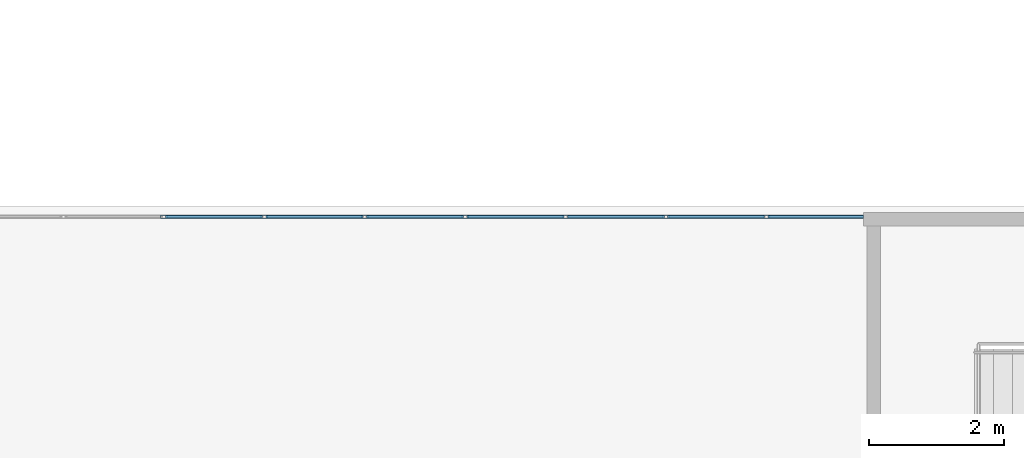
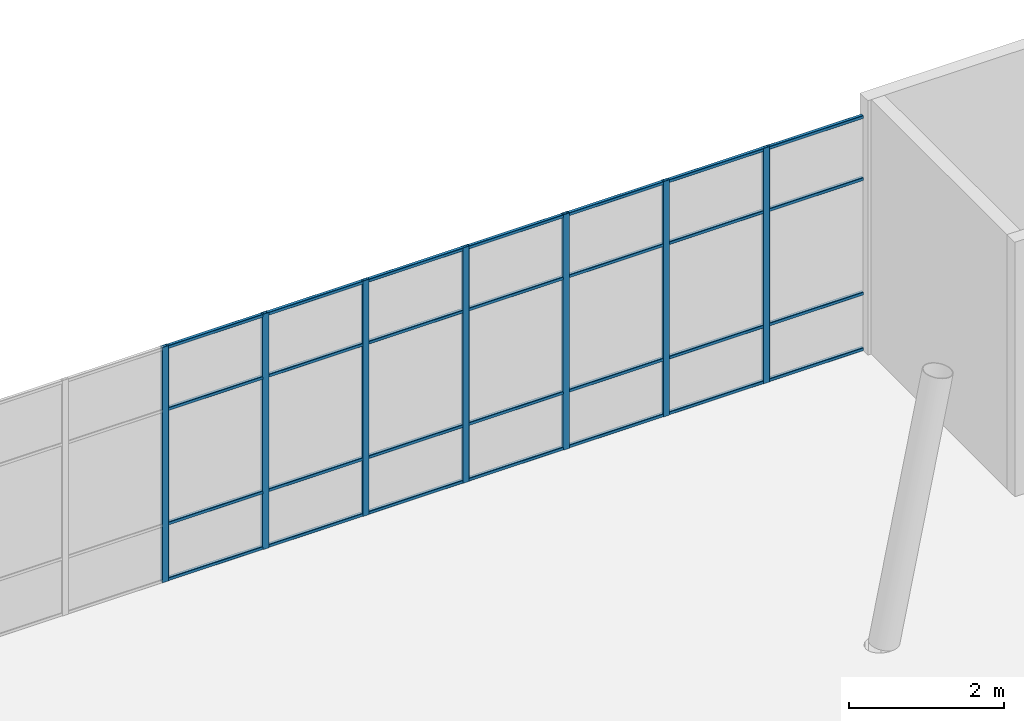
# One storey, part 22 of 65: 35 members, 1 element without a shape of its own.
"""IFC4 building model written with IfcOpenShell, lengths in metres."""

from ifc_helpers import new_model, si_unit, direction, frame, origin, origin_2d, place, context, subcontext, project, spatial, hollow_rectangle, extrude, material, layer, layer_set, material_profile, profile_set, type_object, element, aggregate, save


model = new_model("IFC4")

# Units and contexts
model_context = context("Model", 3, precision=1e-05, world=origin(), true_north=direction((0.0, 1.0)))
body_context = subcontext(model_context, "Body", "Model", "MODEL_VIEW")
ifc_project = project(units=[si_unit("LENGTHUNIT", "METRE"), si_unit("AREAUNIT", "SQUARE_METRE"), si_unit("VOLUMEUNIT", "CUBIC_METRE"), si_unit("PLANEANGLEUNIT", "RADIAN"), si_unit("MASSUNIT", "GRAM", prefix="KILO")], contexts=[model_context])

# Site, building, storey
site_placement = place(None, origin())
site = spatial("IfcSite", under=ifc_project, at=site_placement, CompositionType="ELEMENT")
building_placement = place(site_placement, origin())
building = spatial("IfcBuilding", under=site, at=building_placement, Name="Tuart Plaza Theatre", CompositionType="ELEMENT")
storey_placement = place(building_placement, frame((0.0, 0.0, 9.5)))
storey = spatial("IfcBuildingStorey", under=building, at=storey_placement, Name="L02", CompositionType="ELEMENT", Elevation=9.5)

# Curtain wall, members
ifc_material_1 = material(Name="Aluminium and glass", Category="aluminium")
ifc_layer = layer(ifc_material_1, 0.10009765625)
ifc_layer_set = layer_set([ifc_layer], Name="CURTAIN WALL 1500 module")
curtain_wall_type = type_object("IfcCurtainWallType", Name="CURTAIN WALL 1500 module", PredefinedType="NOTDEFINED", material=ifc_layer_set)
curtain_wall_placement = place(storey_placement, origin())
curtain_wall = element("IfcCurtainWall", 1, at=curtain_wall_placement, inside=storey, type_object=curtain_wall_type, Name="CW35", PredefinedType="NOTDEFINED")
ifc_material_2 = material(Name="Aluminium 6063-T5", Category="aluminium")
ifc_material_profile_1 = material_profile(ifc_material_2, hollow_rectangle(XDim=0.050048828125, YDim=0.10009765625, WallThickness=0.00390625, InnerFilletRadius=0.00390625, OuterFilletRadius=0.008056640625, at=origin_2d()), Name="RHS 100x50x4")
ifc_profile_set_1 = profile_set([ifc_material_profile_1], Name="Aluminium 6063-T5")
member_type_1 = type_object("IfcMemberType", Name="MULLION RHS 100x50x4", PredefinedType="MULLION", material=ifc_profile_set_1)
member_1_placement = place(storey_placement, frame((81.572998046875, 79.8369140625, 0.0), z_axis=(0.0, 0.0, 1.0), x_axis=(0.0, 1.0, 0.0)))
member_1 = element("IfcMember", 2, at=member_1_placement, type_object=member_type_1, Name="CW35 mullion 3", PredefinedType="MULLION", context=body_context, shape_type="SweptSolid", body=[
    extrude(hollow_rectangle(XDim=0.050048828125, YDim=0.10009765625, WallThickness=0.00390625, InnerFilletRadius=0.00390625, OuterFilletRadius=0.008056640625, at=origin_2d()), origin(), (0.0, 0.0, 1.0), 3.699951171875),
])
member_2_placement = place(storey_placement, frame((83.062744140625, 79.8369140625, 0.0), z_axis=(0.0, 0.0, 1.0), x_axis=(0.0, 1.0, 0.0)))
member_2 = element("IfcMember", 3, at=member_2_placement, type_object=member_type_1, Name="CW35 mullion 4", PredefinedType="MULLION", context=body_context, shape_type="SweptSolid", body=[
    extrude(hollow_rectangle(XDim=0.050048828125, YDim=0.10009765625, WallThickness=0.00390625, InnerFilletRadius=0.00390625, OuterFilletRadius=0.008056640625, at=origin_2d()), origin(), (0.0, 0.0, 1.0), 3.699951171875),
])
member_3_placement = place(storey_placement, frame((84.55224609375, 79.8369140625, 0.0), z_axis=(0.0, 0.0, 1.0), x_axis=(0.0, 1.0, 0.0)))
member_3 = element("IfcMember", 4, at=member_3_placement, type_object=member_type_1, Name="CW35 mullion 5", PredefinedType="MULLION", context=body_context, shape_type="SweptSolid", body=[
    extrude(hollow_rectangle(XDim=0.050048828125, YDim=0.10009765625, WallThickness=0.00390625, InnerFilletRadius=0.00390625, OuterFilletRadius=0.008056640625, at=origin_2d()), origin(), (0.0, 0.0, 1.0), 3.699951171875),
])
member_4_placement = place(storey_placement, frame((86.041748046875, 79.8369140625, 0.0), z_axis=(0.0, 0.0, 1.0), x_axis=(0.0, 1.0, 0.0)))
member_4 = element("IfcMember", 5, at=member_4_placement, type_object=member_type_1, Name="CW35 mullion 6", PredefinedType="MULLION", context=body_context, shape_type="SweptSolid", body=[
    extrude(hollow_rectangle(XDim=0.050048828125, YDim=0.10009765625, WallThickness=0.00390625, InnerFilletRadius=0.00390625, OuterFilletRadius=0.008056640625, at=origin_2d()), origin(), (0.0, 0.0, 1.0), 3.699951171875),
])
member_5_placement = place(storey_placement, frame((87.53125, 79.8369140625, 0.0), z_axis=(0.0, 0.0, 1.0), x_axis=(0.0, 1.0, 0.0)))
member_5 = element("IfcMember", 6, at=member_5_placement, type_object=member_type_1, Name="CW35 mullion 7", PredefinedType="MULLION", context=body_context, shape_type="SweptSolid", body=[
    extrude(hollow_rectangle(XDim=0.050048828125, YDim=0.10009765625, WallThickness=0.00390625, InnerFilletRadius=0.00390625, OuterFilletRadius=0.008056640625, at=origin_2d()), origin(), (0.0, 0.0, 1.0), 3.699951171875),
])
member_6_placement = place(storey_placement, frame((89.02099609375, 79.8369140625, 0.0), z_axis=(0.0, 0.0, 1.0), x_axis=(0.0, 1.0, 0.0)))
member_6 = element("IfcMember", 7, at=member_6_placement, type_object=member_type_1, Name="CW35 mullion 8", PredefinedType="MULLION", context=body_context, shape_type="SweptSolid", body=[
    extrude(hollow_rectangle(XDim=0.050048828125, YDim=0.10009765625, WallThickness=0.00390625, InnerFilletRadius=0.00390625, OuterFilletRadius=0.008056640625, at=origin_2d()), origin(), (0.0, 0.0, 1.0), 3.699951171875),
])
member_7_placement = place(storey_placement, frame((90.510498046875, 79.8369140625, 0.0), z_axis=(0.0, 0.0, 1.0), x_axis=(0.0, 1.0, 0.0)))
member_7 = element("IfcMember", 8, at=member_7_placement, type_object=member_type_1, Name="CW35 mullion 9", PredefinedType="MULLION", context=body_context, shape_type="SweptSolid", body=[
    extrude(hollow_rectangle(XDim=0.050048828125, YDim=0.10009765625, WallThickness=0.00390625, InnerFilletRadius=0.00390625, OuterFilletRadius=0.008056640625, at=origin_2d()), origin(), (0.0, 0.0, 1.0), 3.699951171875),
])
ifc_material_3 = material(Name="Aluminium 6063-T5", Category="aluminium")
ifc_material_profile_2 = material_profile(ifc_material_3, hollow_rectangle(XDim=0.050048828125, YDim=0.050048828125, WallThickness=0.00390625, InnerFilletRadius=0.00390625, OuterFilletRadius=0.008056640625, at=origin_2d()), Name="RHS 50x50x4")
ifc_profile_set_2 = profile_set([ifc_material_profile_2], Name="Aluminium 6063-T5")
member_type_2 = type_object("IfcMemberType", Name="TRANSOM RHS 50x50x4", PredefinedType="USERDEFINED", material=ifc_profile_set_2)
member_8_placement = place(storey_placement, frame((81.59814453125, 79.8369140625, 0.02490234375), z_axis=(1.0, 0.0, 0.0), x_axis=(0.0, 1.0, 0.0)))
member_8 = element("IfcMember", 9, at=member_8_placement, type_object=member_type_2, Name="CW35 transom 3.1", ObjectType="TRANSOM", PredefinedType="USERDEFINED", context=body_context, shape_type="SweptSolid", body=[
    extrude(hollow_rectangle(XDim=0.050048828125, YDim=0.050048828125, WallThickness=0.00390625, InnerFilletRadius=0.00390625, OuterFilletRadius=0.008056640625, at=origin_2d()), origin(), (0.0, 0.0, 1.0), 1.439453125),
])
member_9_placement = place(storey_placement, frame((81.59814453125, 79.8369140625, 0.89990234375), z_axis=(1.0, 0.0, 0.0), x_axis=(0.0, 1.0, 0.0)))
member_9 = element("IfcMember", 10, at=member_9_placement, type_object=member_type_2, Name="CW35 transom 3.2", ObjectType="TRANSOM", PredefinedType="USERDEFINED", context=body_context, shape_type="SweptSolid", body=[
    extrude(hollow_rectangle(XDim=0.050048828125, YDim=0.050048828125, WallThickness=0.00390625, InnerFilletRadius=0.00390625, OuterFilletRadius=0.008056640625, at=origin_2d()), origin(), (0.0, 0.0, 1.0), 1.439453125),
])
member_10_placement = place(storey_placement, frame((81.59814453125, 79.8369140625, 2.699951171875), z_axis=(1.0, 0.0, 0.0), x_axis=(0.0, 1.0, 0.0)))
member_10 = element("IfcMember", 11, at=member_10_placement, type_object=member_type_2, Name="CW35 transom 3.3", ObjectType="TRANSOM", PredefinedType="USERDEFINED", context=body_context, shape_type="SweptSolid", body=[
    extrude(hollow_rectangle(XDim=0.050048828125, YDim=0.050048828125, WallThickness=0.00390625, InnerFilletRadius=0.00390625, OuterFilletRadius=0.008056640625, at=origin_2d()), origin(), (0.0, 0.0, 1.0), 1.439453125),
])
member_11_placement = place(storey_placement, frame((81.59814453125, 79.8369140625, 3.675048828125), z_axis=(1.0, 0.0, 0.0), x_axis=(0.0, 1.0, 0.0)))
member_11 = element("IfcMember", 12, at=member_11_placement, type_object=member_type_2, Name="CW35 transom 3.4", ObjectType="TRANSOM", PredefinedType="USERDEFINED", context=body_context, shape_type="SweptSolid", body=[
    extrude(hollow_rectangle(XDim=0.050048828125, YDim=0.050048828125, WallThickness=0.00390625, InnerFilletRadius=0.00390625, OuterFilletRadius=0.008056640625, at=origin_2d()), origin(), (0.0, 0.0, 1.0), 1.439453125),
])
member_12_placement = place(storey_placement, frame((83.087646484375, 79.8369140625, 0.02490234375), z_axis=(1.0, 0.0, 0.0), x_axis=(0.0, 1.0, 0.0)))
member_12 = element("IfcMember", 13, at=member_12_placement, type_object=member_type_2, Name="CW35 transom 4.1", ObjectType="TRANSOM", PredefinedType="USERDEFINED", context=body_context, shape_type="SweptSolid", body=[
    extrude(hollow_rectangle(XDim=0.050048828125, YDim=0.050048828125, WallThickness=0.00390625, InnerFilletRadius=0.00390625, OuterFilletRadius=0.008056640625, at=origin_2d()), origin(), (0.0, 0.0, 1.0), 1.439697265625),
])
member_13_placement = place(storey_placement, frame((83.087646484375, 79.8369140625, 0.89990234375), z_axis=(1.0, 0.0, 0.0), x_axis=(0.0, 1.0, 0.0)))
member_13 = element("IfcMember", 14, at=member_13_placement, type_object=member_type_2, Name="CW35 transom 4.2", ObjectType="TRANSOM", PredefinedType="USERDEFINED", context=body_context, shape_type="SweptSolid", body=[
    extrude(hollow_rectangle(XDim=0.050048828125, YDim=0.050048828125, WallThickness=0.00390625, InnerFilletRadius=0.00390625, OuterFilletRadius=0.008056640625, at=origin_2d()), origin(), (0.0, 0.0, 1.0), 1.439697265625),
])
member_14_placement = place(storey_placement, frame((83.087646484375, 79.8369140625, 2.699951171875), z_axis=(1.0, 0.0, 0.0), x_axis=(0.0, 1.0, 0.0)))
member_14 = element("IfcMember", 15, at=member_14_placement, type_object=member_type_2, Name="CW35 transom 4.3", ObjectType="TRANSOM", PredefinedType="USERDEFINED", context=body_context, shape_type="SweptSolid", body=[
    extrude(hollow_rectangle(XDim=0.050048828125, YDim=0.050048828125, WallThickness=0.00390625, InnerFilletRadius=0.00390625, OuterFilletRadius=0.008056640625, at=origin_2d()), origin(), (0.0, 0.0, 1.0), 1.439697265625),
])
member_15_placement = place(storey_placement, frame((83.087646484375, 79.8369140625, 3.675048828125), z_axis=(1.0, 0.0, 0.0), x_axis=(0.0, 1.0, 0.0)))
member_15 = element("IfcMember", 16, at=member_15_placement, type_object=member_type_2, Name="CW35 transom 4.4", ObjectType="TRANSOM", PredefinedType="USERDEFINED", context=body_context, shape_type="SweptSolid", body=[
    extrude(hollow_rectangle(XDim=0.050048828125, YDim=0.050048828125, WallThickness=0.00390625, InnerFilletRadius=0.00390625, OuterFilletRadius=0.008056640625, at=origin_2d()), origin(), (0.0, 0.0, 1.0), 1.439697265625),
])
member_16_placement = place(storey_placement, frame((84.5771484375, 79.8369140625, 0.02490234375), z_axis=(1.0, 0.0, 0.0), x_axis=(0.0, 1.0, 0.0)))
member_16 = element("IfcMember", 17, at=member_16_placement, type_object=member_type_2, Name="CW35 transom 5.1", ObjectType="TRANSOM", PredefinedType="USERDEFINED", context=body_context, shape_type="SweptSolid", body=[
    extrude(hollow_rectangle(XDim=0.050048828125, YDim=0.050048828125, WallThickness=0.00390625, InnerFilletRadius=0.00390625, OuterFilletRadius=0.008056640625, at=origin_2d()), origin(), (0.0, 0.0, 1.0), 1.439697265625),
])
member_17_placement = place(storey_placement, frame((84.5771484375, 79.8369140625, 0.89990234375), z_axis=(1.0, 0.0, 0.0), x_axis=(0.0, 1.0, 0.0)))
member_17 = element("IfcMember", 18, at=member_17_placement, type_object=member_type_2, Name="CW35 transom 5.2", ObjectType="TRANSOM", PredefinedType="USERDEFINED", context=body_context, shape_type="SweptSolid", body=[
    extrude(hollow_rectangle(XDim=0.050048828125, YDim=0.050048828125, WallThickness=0.00390625, InnerFilletRadius=0.00390625, OuterFilletRadius=0.008056640625, at=origin_2d()), origin(), (0.0, 0.0, 1.0), 1.439697265625),
])
member_18_placement = place(storey_placement, frame((84.5771484375, 79.8369140625, 2.699951171875), z_axis=(1.0, 0.0, 0.0), x_axis=(0.0, 1.0, 0.0)))
member_18 = element("IfcMember", 19, at=member_18_placement, type_object=member_type_2, Name="CW35 transom 5.3", ObjectType="TRANSOM", PredefinedType="USERDEFINED", context=body_context, shape_type="SweptSolid", body=[
    extrude(hollow_rectangle(XDim=0.050048828125, YDim=0.050048828125, WallThickness=0.00390625, InnerFilletRadius=0.00390625, OuterFilletRadius=0.008056640625, at=origin_2d()), origin(), (0.0, 0.0, 1.0), 1.439697265625),
])
member_19_placement = place(storey_placement, frame((84.5771484375, 79.8369140625, 3.675048828125), z_axis=(1.0, 0.0, 0.0), x_axis=(0.0, 1.0, 0.0)))
member_19 = element("IfcMember", 20, at=member_19_placement, type_object=member_type_2, Name="CW35 transom 5.4", ObjectType="TRANSOM", PredefinedType="USERDEFINED", context=body_context, shape_type="SweptSolid", body=[
    extrude(hollow_rectangle(XDim=0.050048828125, YDim=0.050048828125, WallThickness=0.00390625, InnerFilletRadius=0.00390625, OuterFilletRadius=0.008056640625, at=origin_2d()), origin(), (0.0, 0.0, 1.0), 1.439697265625),
])
member_20_placement = place(storey_placement, frame((86.06689453125, 79.8369140625, 0.02490234375), z_axis=(1.0, 0.0, 0.0), x_axis=(0.0, 1.0, 0.0)))
member_20 = element("IfcMember", 21, at=member_20_placement, type_object=member_type_2, Name="CW35 transom 6.1", ObjectType="TRANSOM", PredefinedType="USERDEFINED", context=body_context, shape_type="SweptSolid", body=[
    extrude(hollow_rectangle(XDim=0.050048828125, YDim=0.050048828125, WallThickness=0.00390625, InnerFilletRadius=0.00390625, OuterFilletRadius=0.008056640625, at=origin_2d()), origin(), (0.0, 0.0, 1.0), 1.439453125),
])
member_21_placement = place(storey_placement, frame((86.06689453125, 79.8369140625, 0.89990234375), z_axis=(1.0, 0.0, 0.0), x_axis=(0.0, 1.0, 0.0)))
member_21 = element("IfcMember", 22, at=member_21_placement, type_object=member_type_2, Name="CW35 transom 6.2", ObjectType="TRANSOM", PredefinedType="USERDEFINED", context=body_context, shape_type="SweptSolid", body=[
    extrude(hollow_rectangle(XDim=0.050048828125, YDim=0.050048828125, WallThickness=0.00390625, InnerFilletRadius=0.00390625, OuterFilletRadius=0.008056640625, at=origin_2d()), origin(), (0.0, 0.0, 1.0), 1.439453125),
])
member_22_placement = place(storey_placement, frame((86.06689453125, 79.8369140625, 2.699951171875), z_axis=(1.0, 0.0, 0.0), x_axis=(0.0, 1.0, 0.0)))
member_22 = element("IfcMember", 23, at=member_22_placement, type_object=member_type_2, Name="CW35 transom 6.3", ObjectType="TRANSOM", PredefinedType="USERDEFINED", context=body_context, shape_type="SweptSolid", body=[
    extrude(hollow_rectangle(XDim=0.050048828125, YDim=0.050048828125, WallThickness=0.00390625, InnerFilletRadius=0.00390625, OuterFilletRadius=0.008056640625, at=origin_2d()), origin(), (0.0, 0.0, 1.0), 1.439453125),
])
member_23_placement = place(storey_placement, frame((86.06689453125, 79.8369140625, 3.675048828125), z_axis=(1.0, 0.0, 0.0), x_axis=(0.0, 1.0, 0.0)))
member_23 = element("IfcMember", 24, at=member_23_placement, type_object=member_type_2, Name="CW35 transom 6.4", ObjectType="TRANSOM", PredefinedType="USERDEFINED", context=body_context, shape_type="SweptSolid", body=[
    extrude(hollow_rectangle(XDim=0.050048828125, YDim=0.050048828125, WallThickness=0.00390625, InnerFilletRadius=0.00390625, OuterFilletRadius=0.008056640625, at=origin_2d()), origin(), (0.0, 0.0, 1.0), 1.439453125),
])
member_24_placement = place(storey_placement, frame((87.556396484375, 79.8369140625, 0.02490234375), z_axis=(1.0, 0.0, 0.0), x_axis=(0.0, 1.0, 0.0)))
member_24 = element("IfcMember", 25, at=member_24_placement, type_object=member_type_2, Name="CW35 transom 7.1", ObjectType="TRANSOM", PredefinedType="USERDEFINED", context=body_context, shape_type="SweptSolid", body=[
    extrude(hollow_rectangle(XDim=0.050048828125, YDim=0.050048828125, WallThickness=0.00390625, InnerFilletRadius=0.00390625, OuterFilletRadius=0.008056640625, at=origin_2d()), origin(), (0.0, 0.0, 1.0), 1.439453125),
])
member_25_placement = place(storey_placement, frame((87.556396484375, 79.8369140625, 0.89990234375), z_axis=(1.0, 0.0, 0.0), x_axis=(0.0, 1.0, 0.0)))
member_25 = element("IfcMember", 26, at=member_25_placement, type_object=member_type_2, Name="CW35 transom 7.2", ObjectType="TRANSOM", PredefinedType="USERDEFINED", context=body_context, shape_type="SweptSolid", body=[
    extrude(hollow_rectangle(XDim=0.050048828125, YDim=0.050048828125, WallThickness=0.00390625, InnerFilletRadius=0.00390625, OuterFilletRadius=0.008056640625, at=origin_2d()), origin(), (0.0, 0.0, 1.0), 1.439453125),
])
member_26_placement = place(storey_placement, frame((87.556396484375, 79.8369140625, 2.699951171875), z_axis=(1.0, 0.0, 0.0), x_axis=(0.0, 1.0, 0.0)))
member_26 = element("IfcMember", 27, at=member_26_placement, type_object=member_type_2, Name="CW35 transom 7.3", ObjectType="TRANSOM", PredefinedType="USERDEFINED", context=body_context, shape_type="SweptSolid", body=[
    extrude(hollow_rectangle(XDim=0.050048828125, YDim=0.050048828125, WallThickness=0.00390625, InnerFilletRadius=0.00390625, OuterFilletRadius=0.008056640625, at=origin_2d()), origin(), (0.0, 0.0, 1.0), 1.439453125),
])
member_27_placement = place(storey_placement, frame((87.556396484375, 79.8369140625, 3.675048828125), z_axis=(1.0, 0.0, 0.0), x_axis=(0.0, 1.0, 0.0)))
member_27 = element("IfcMember", 28, at=member_27_placement, type_object=member_type_2, Name="CW35 transom 7.4", ObjectType="TRANSOM", PredefinedType="USERDEFINED", context=body_context, shape_type="SweptSolid", body=[
    extrude(hollow_rectangle(XDim=0.050048828125, YDim=0.050048828125, WallThickness=0.00390625, InnerFilletRadius=0.00390625, OuterFilletRadius=0.008056640625, at=origin_2d()), origin(), (0.0, 0.0, 1.0), 1.439453125),
])
member_28_placement = place(storey_placement, frame((89.0458984375, 79.8369140625, 0.02490234375), z_axis=(1.0, 0.0, 0.0), x_axis=(0.0, 1.0, 0.0)))
member_28 = element("IfcMember", 29, at=member_28_placement, type_object=member_type_2, Name="CW35 transom 8.1", ObjectType="TRANSOM", PredefinedType="USERDEFINED", context=body_context, shape_type="SweptSolid", body=[
    extrude(hollow_rectangle(XDim=0.050048828125, YDim=0.050048828125, WallThickness=0.00390625, InnerFilletRadius=0.00390625, OuterFilletRadius=0.008056640625, at=origin_2d()), origin(), (0.0, 0.0, 1.0), 1.439453125),
])
member_29_placement = place(storey_placement, frame((89.0458984375, 79.8369140625, 0.89990234375), z_axis=(1.0, 0.0, 0.0), x_axis=(0.0, 1.0, 0.0)))
member_29 = element("IfcMember", 30, at=member_29_placement, type_object=member_type_2, Name="CW35 transom 8.2", ObjectType="TRANSOM", PredefinedType="USERDEFINED", context=body_context, shape_type="SweptSolid", body=[
    extrude(hollow_rectangle(XDim=0.050048828125, YDim=0.050048828125, WallThickness=0.00390625, InnerFilletRadius=0.00390625, OuterFilletRadius=0.008056640625, at=origin_2d()), origin(), (0.0, 0.0, 1.0), 1.439453125),
])
member_30_placement = place(storey_placement, frame((89.0458984375, 79.8369140625, 2.699951171875), z_axis=(1.0, 0.0, 0.0), x_axis=(0.0, 1.0, 0.0)))
member_30 = element("IfcMember", 31, at=member_30_placement, type_object=member_type_2, Name="CW35 transom 8.3", ObjectType="TRANSOM", PredefinedType="USERDEFINED", context=body_context, shape_type="SweptSolid", body=[
    extrude(hollow_rectangle(XDim=0.050048828125, YDim=0.050048828125, WallThickness=0.00390625, InnerFilletRadius=0.00390625, OuterFilletRadius=0.008056640625, at=origin_2d()), origin(), (0.0, 0.0, 1.0), 1.439453125),
])
member_31_placement = place(storey_placement, frame((89.0458984375, 79.8369140625, 3.675048828125), z_axis=(1.0, 0.0, 0.0), x_axis=(0.0, 1.0, 0.0)))
member_31 = element("IfcMember", 32, at=member_31_placement, type_object=member_type_2, Name="CW35 transom 8.4", ObjectType="TRANSOM", PredefinedType="USERDEFINED", context=body_context, shape_type="SweptSolid", body=[
    extrude(hollow_rectangle(XDim=0.050048828125, YDim=0.050048828125, WallThickness=0.00390625, InnerFilletRadius=0.00390625, OuterFilletRadius=0.008056640625, at=origin_2d()), origin(), (0.0, 0.0, 1.0), 1.439453125),
])
member_32_placement = place(storey_placement, frame((90.535400390625, 79.8369140625, 0.02490234375), z_axis=(1.0, 0.0, 0.0), x_axis=(0.0, 1.0, 0.0)))
member_32 = element("IfcMember", 33, at=member_32_placement, type_object=member_type_2, Name="CW35 transom 9.1", ObjectType="TRANSOM", PredefinedType="USERDEFINED", context=body_context, shape_type="SweptSolid", body=[
    extrude(hollow_rectangle(XDim=0.050048828125, YDim=0.050048828125, WallThickness=0.00390625, InnerFilletRadius=0.00390625, OuterFilletRadius=0.008056640625, at=origin_2d()), origin(), (0.0, 0.0, 1.0), 1.41455078125),
])
member_33_placement = place(storey_placement, frame((90.535400390625, 79.8369140625, 0.89990234375), z_axis=(1.0, 0.0, 0.0), x_axis=(0.0, 1.0, 0.0)))
member_33 = element("IfcMember", 34, at=member_33_placement, type_object=member_type_2, Name="CW35 transom 9.2", ObjectType="TRANSOM", PredefinedType="USERDEFINED", context=body_context, shape_type="SweptSolid", body=[
    extrude(hollow_rectangle(XDim=0.050048828125, YDim=0.050048828125, WallThickness=0.00390625, InnerFilletRadius=0.00390625, OuterFilletRadius=0.008056640625, at=origin_2d()), origin(), (0.0, 0.0, 1.0), 1.41455078125),
])
member_34_placement = place(storey_placement, frame((90.535400390625, 79.8369140625, 2.699951171875), z_axis=(1.0, 0.0, 0.0), x_axis=(0.0, 1.0, 0.0)))
member_34 = element("IfcMember", 35, at=member_34_placement, type_object=member_type_2, Name="CW35 transom 9.3", ObjectType="TRANSOM", PredefinedType="USERDEFINED", context=body_context, shape_type="SweptSolid", body=[
    extrude(hollow_rectangle(XDim=0.050048828125, YDim=0.050048828125, WallThickness=0.00390625, InnerFilletRadius=0.00390625, OuterFilletRadius=0.008056640625, at=origin_2d()), origin(), (0.0, 0.0, 1.0), 1.41455078125),
])
member_35_placement = place(storey_placement, frame((90.535400390625, 79.8369140625, 3.675048828125), z_axis=(1.0, 0.0, 0.0), x_axis=(0.0, 1.0, 0.0)))
member_35 = element("IfcMember", 36, at=member_35_placement, type_object=member_type_2, Name="CW35 transom 9.4", ObjectType="TRANSOM", PredefinedType="USERDEFINED", context=body_context, shape_type="SweptSolid", body=[
    extrude(hollow_rectangle(XDim=0.050048828125, YDim=0.050048828125, WallThickness=0.00390625, InnerFilletRadius=0.00390625, OuterFilletRadius=0.008056640625, at=origin_2d()), origin(), (0.0, 0.0, 1.0), 1.41455078125),
])
aggregate(curtain_wall, [member_1, member_2, member_3, member_4, member_5, member_6, member_7, member_8, member_9, member_10, member_11, member_12, member_13, member_14, member_15, member_16, member_17, member_18, member_19, member_20, member_21, member_22, member_23, member_24, member_25, member_26, member_27, member_28, member_29, member_30, member_31, member_32, member_33, member_34, member_35])

save(model, "model.ifc")
